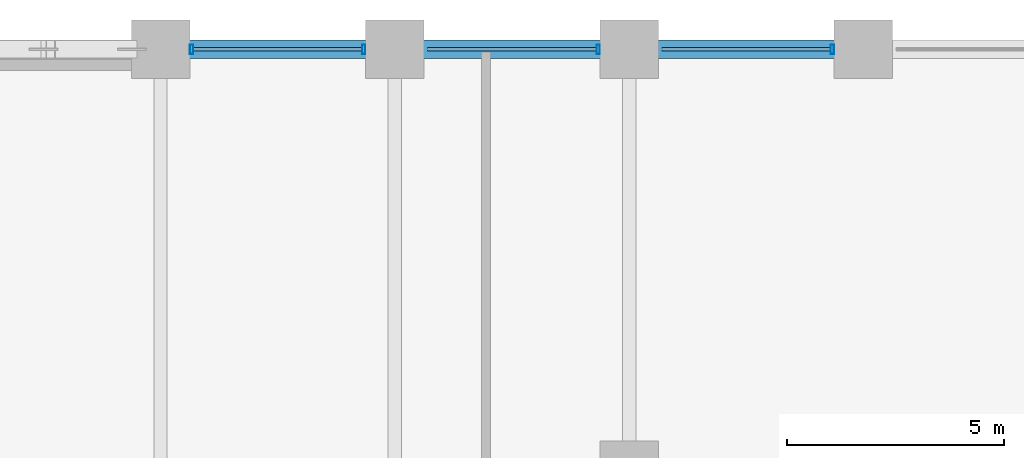
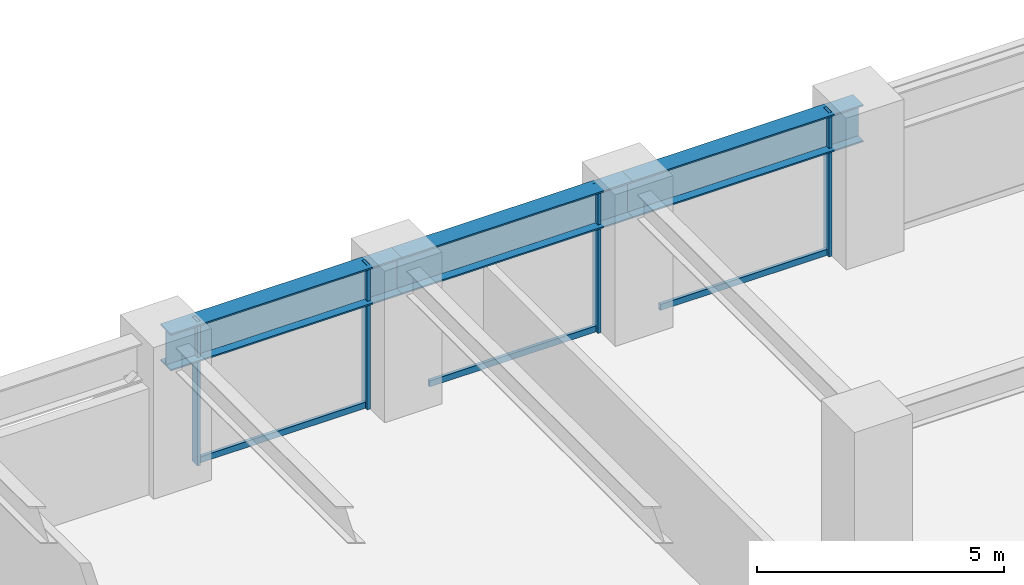
# One storey, part 15 of 24: 7 members, 3 beams, 1 element without a shape of its own.
"""IFC4 building model written with IfcOpenShell, lengths in metres."""

from ifc_helpers import new_model, si_unit, direction, frame, origin, origin_2d, place, context, subcontext, project, spatial, hollow_rectangle, i_section, extrude, material, layer, layer_set, material_profile, profile_set, type_object, element, aggregate, save


model = new_model("IFC4")

# Units and contexts
model_context = context("Model", 3, precision=1e-05, world=origin(), true_north=direction((0.0, 1.0)))
body_context = subcontext(model_context, "Body", "Model", "MODEL_VIEW")
ifc_project = project(units=[si_unit("LENGTHUNIT", "METRE"), si_unit("AREAUNIT", "SQUARE_METRE"), si_unit("VOLUMEUNIT", "CUBIC_METRE"), si_unit("PLANEANGLEUNIT", "RADIAN"), si_unit("MASSUNIT", "GRAM", prefix="KILO")], contexts=[model_context])

# Site, building, storey
site_placement = place(None, origin())
site = spatial("IfcSite", under=ifc_project, at=site_placement, CompositionType="ELEMENT")
building_placement = place(site_placement, origin())
building = spatial("IfcBuilding", under=site, at=building_placement, Name="Surkhivell Harbour Commons", CompositionType="ELEMENT")
storey_placement = place(building_placement, frame((0.0, 0.0, 30.0)))
storey = spatial("IfcBuildingStorey", under=building, at=storey_placement, Name="L07", CompositionType="ELEMENT", Elevation=30.0)

# Beams
ifc_material_1 = material(Name="Steel S460", Category="steel")
ifc_material_profile_1 = material_profile(ifc_material_1, i_section(OverallWidth=0.419921875, OverallDepth=0.9208984375, WebThickness=0.021484375, FlangeThickness=0.03662109375, at=origin_2d()), Name="UB914x419x388")
ifc_profile_set_1 = profile_set([ifc_material_profile_1], Name="Steel S460")
beam_type = type_object("IfcBeamType", Name="BM-SPN-914A", PredefinedType="SPANDREL", material=ifc_profile_set_1)
beam_1_placement = place(storey_placement, frame((5.39990234375, 25.89990234375, 3.109619140625), z_axis=(1.0, 0.0, 0.0), x_axis=(0.0, 1.0, 0.0)))
element("IfcBeam", 1, at=beam_1_placement, inside=storey, type_object=beam_type, Name="L07 Tube Spandrel (5.4,25.9)", PredefinedType="SPANDREL", context=body_context, shape_type="SweptSolid", body=[
    extrude(i_section(OverallWidth=0.419921875, OverallDepth=0.9208984375, WebThickness=0.021484375, FlangeThickness=0.03662109375, at=origin_2d()), origin(), (0.0, 0.0, 1.0), 5.400146484375),
])
beam_2_placement = place(storey_placement, frame((10.800048828125, 25.89990234375, 3.109619140625), z_axis=(1.0, 0.0, 0.0), x_axis=(0.0, 1.0, 0.0)))
element("IfcBeam", 2, at=beam_2_placement, inside=storey, type_object=beam_type, Name="L07 Tube Spandrel (10.8,25.9)", PredefinedType="SPANDREL", context=body_context, shape_type="SweptSolid", body=[
    extrude(i_section(OverallWidth=0.419921875, OverallDepth=0.9208984375, WebThickness=0.021484375, FlangeThickness=0.03662109375, at=origin_2d()), origin(), (0.0, 0.0, 1.0), 5.39990234375),
])
beam_3_placement = place(storey_placement, frame((16.199951171875, 25.89990234375, 3.109619140625), z_axis=(1.0, 0.0, 0.0), x_axis=(0.0, 1.0, 0.0)))
element("IfcBeam", 3, at=beam_3_placement, inside=storey, type_object=beam_type, Name="L07 Tube Spandrel (16.2,25.9)", PredefinedType="SPANDREL", context=body_context, shape_type="SweptSolid", body=[
    extrude(i_section(OverallWidth=0.419921875, OverallDepth=0.9208984375, WebThickness=0.021484375, FlangeThickness=0.03662109375, at=origin_2d()), origin(), (0.0, 0.0, 1.0), 5.400146484375),
])

# Curtain wall, members
ifc_material_2 = material(Name="Anodised pale-metal aluminium and insulated glazing", Category="aluminium")
ifc_layer = layer(ifc_material_2, 0.219970703125)
ifc_layer_set = layer_set([ifc_layer], Name="Anodised pale-metal aluminium and insulated glazing")
curtain_wall_type = type_object("IfcCurtainWallType", Name="CW-SYS-Z1", PredefinedType="NOTDEFINED", material=ifc_layer_set)
curtain_wall_placement = place(storey_placement, origin())
curtain_wall = element("IfcCurtainWall", 4, at=curtain_wall_placement, inside=storey, type_object=curtain_wall_type, Name="L07 Curtain Wall CW-L07-E07S1", PredefinedType="NOTDEFINED")
ifc_material_3 = material(Name="Anodised pale-metal aluminium alloy 6063-T6", Category="aluminium")
ifc_material_profile_2 = material_profile(ifc_material_3, hollow_rectangle(XDim=0.074951171875, YDim=0.219970703125, WallThickness=0.00390625, at=origin_2d()), Name="ALU-MULL-75x220")
ifc_profile_set_2 = profile_set([ifc_material_profile_2], Name="Anodised pale-metal aluminium alloy 6063-T6")
member_type_1 = type_object("IfcMemberType", Name="CWM-220", PredefinedType="MULLION", material=ifc_profile_set_2)
member_1_placement = place(storey_placement, frame((20.885498046875, 25.89990234375, 0.0), z_axis=(0.0, 0.0, 1.0), x_axis=(-1.0, 0.0, 0.0)))
member_1 = element("IfcMember", 5, at=member_1_placement, type_object=member_type_1, Name="CW-Z1 mullion 2", PredefinedType="MULLION", context=body_context, shape_type="SweptSolid", body=[
    extrude(hollow_rectangle(XDim=0.074951171875, YDim=0.219970703125, WallThickness=0.00390625, at=origin_2d()), origin(), (0.0, 0.0, 1.0), 3.570068359375),
])
member_2_placement = place(storey_placement, frame((15.485595703125, 25.89990234375, 0.0), z_axis=(0.0, 0.0, 1.0), x_axis=(-1.0, 0.0, 0.0)))
member_2 = element("IfcMember", 6, at=member_2_placement, type_object=member_type_1, Name="CW-Z1 mullion 3", PredefinedType="MULLION", context=body_context, shape_type="SweptSolid", body=[
    extrude(hollow_rectangle(XDim=0.074951171875, YDim=0.219970703125, WallThickness=0.00390625, at=origin_2d()), origin(), (0.0, 0.0, 1.0), 3.570068359375),
])
member_3_placement = place(storey_placement, frame((10.08544921875, 25.89990234375, 0.0), z_axis=(0.0, 0.0, 1.0), x_axis=(-1.0, 0.0, 0.0)))
member_3 = element("IfcMember", 7, at=member_3_placement, type_object=member_type_1, Name="CW-Z1 mullion 4", PredefinedType="MULLION", context=body_context, shape_type="SweptSolid", body=[
    extrude(hollow_rectangle(XDim=0.074951171875, YDim=0.219970703125, WallThickness=0.00390625, at=origin_2d()), origin(), (0.0, 0.0, 1.0), 3.570068359375),
])
member_4_placement = place(storey_placement, frame((6.114501953125, 25.89990234375, 0.0), z_axis=(0.0, 0.0, 1.0), x_axis=(-1.0, 0.0, 0.0)))
member_4 = element("IfcMember", 8, at=member_4_placement, type_object=member_type_1, Name="CW-Z1 mullion 5", PredefinedType="MULLION", context=body_context, shape_type="SweptSolid", body=[
    extrude(hollow_rectangle(XDim=0.074951171875, YDim=0.219970703125, WallThickness=0.00390625, at=origin_2d()), origin(), (0.0, 0.0, 1.0), 3.570068359375),
])
ifc_material_profile_3 = material_profile(ifc_material_3, hollow_rectangle(XDim=0.074951171875, YDim=0.14990234375, WallThickness=0.00341796875, at=origin_2d()), Name="ALU-TRAN-75x150")
ifc_profile_set_3 = profile_set([ifc_material_profile_3], Name="Anodised pale-metal aluminium alloy 6063-T6")
member_type_2 = type_object("IfcMemberType", Name="CWT-150", PredefinedType="USERDEFINED", material=ifc_profile_set_3)
member_5_placement = place(storey_placement, frame((20.847900390625, 25.89990234375, 0.074951171875), z_axis=(-1.0, 0.0, 0.0), x_axis=(0.0, -1.0, 0.0)))
member_5 = element("IfcMember", 9, at=member_5_placement, type_object=member_type_2, Name="CW-Z1 transom 2.1", ObjectType="TRANSOM", PredefinedType="USERDEFINED", context=body_context, shape_type="SweptSolid", body=[
    extrude(hollow_rectangle(XDim=0.074951171875, YDim=0.14990234375, WallThickness=0.00341796875, at=origin_2d()), origin(), (0.0, 0.0, 1.0), 3.89599609375),
])
member_6_placement = place(storey_placement, frame((15.447998046875, 25.89990234375, 0.074951171875), z_axis=(-1.0, 0.0, 0.0), x_axis=(0.0, -1.0, 0.0)))
member_6 = element("IfcMember", 10, at=member_6_placement, type_object=member_type_2, Name="CW-Z1 transom 3.1", ObjectType="TRANSOM", PredefinedType="USERDEFINED", context=body_context, shape_type="SweptSolid", body=[
    extrude(hollow_rectangle(XDim=0.074951171875, YDim=0.14990234375, WallThickness=0.00341796875, at=origin_2d()), origin(), (0.0, 0.0, 1.0), 3.89599609375),
])
member_7_placement = place(storey_placement, frame((10.048095703125, 25.89990234375, 0.074951171875), z_axis=(-1.0, 0.0, 0.0), x_axis=(0.0, -1.0, 0.0)))
member_7 = element("IfcMember", 11, at=member_7_placement, type_object=member_type_2, Name="CW-Z1 transom 4.1", ObjectType="TRANSOM", PredefinedType="USERDEFINED", context=body_context, shape_type="SweptSolid", body=[
    extrude(hollow_rectangle(XDim=0.074951171875, YDim=0.14990234375, WallThickness=0.00341796875, at=origin_2d()), origin(), (0.0, 0.0, 1.0), 3.89599609375),
])
aggregate(curtain_wall, [member_1, member_5, member_2, member_6, member_3, member_4, member_7])

save(model, "model.ifc")
